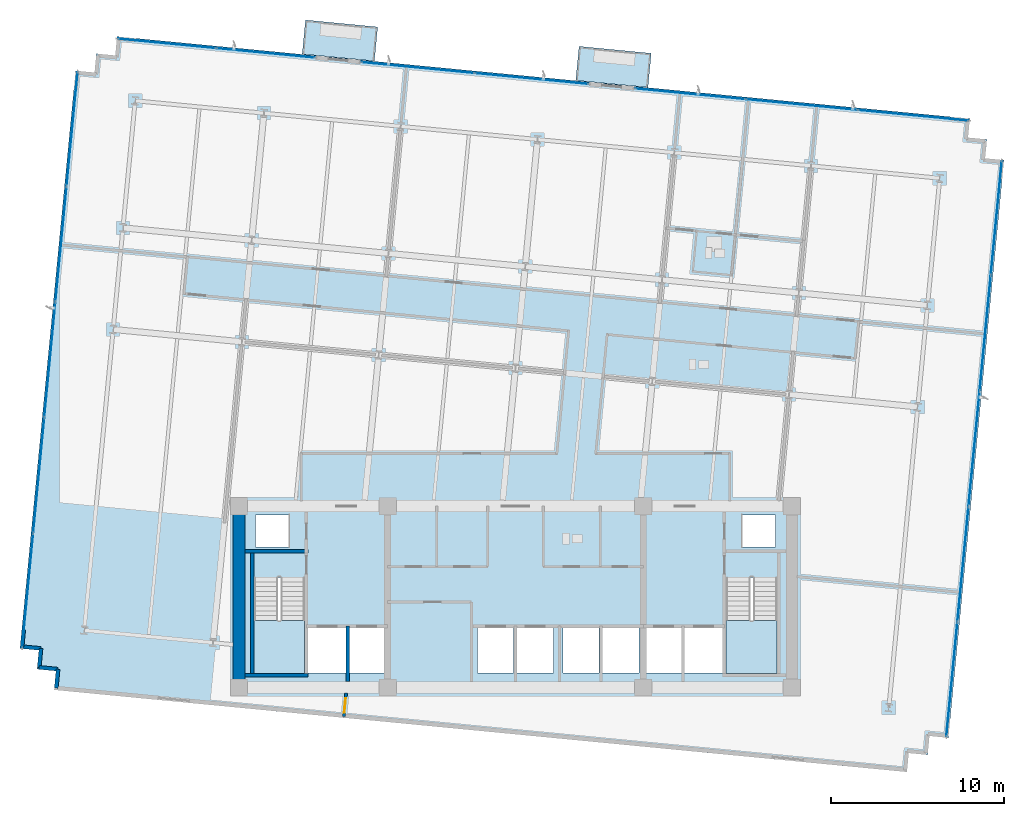
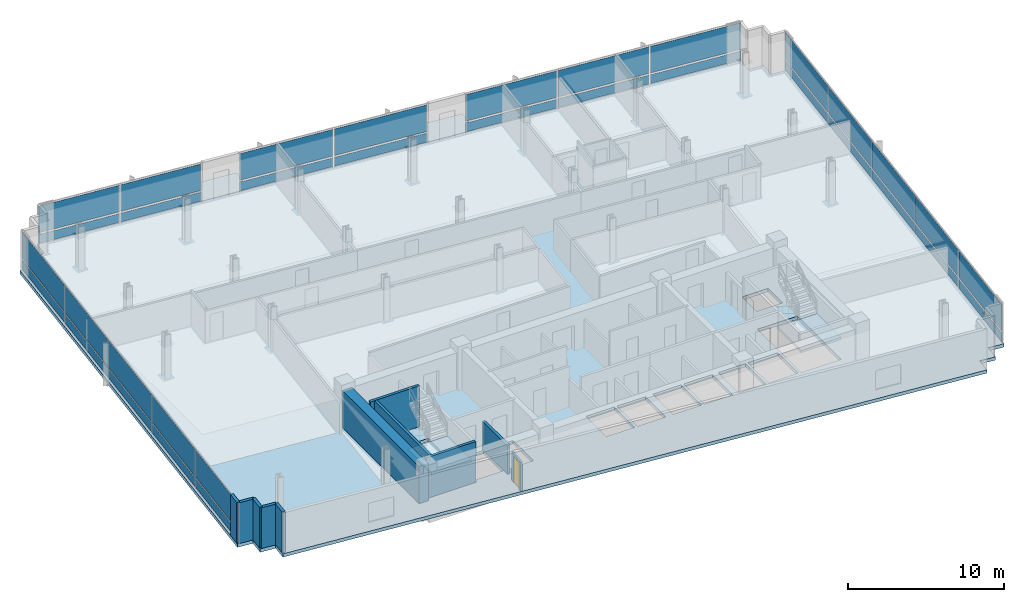
# One storey, part 9 of 17: 34 plates, 11 walls, 5 slabs, 1 door, 1 opening, 7 elements without a shape of their own.
"""IFC4 building model written with IfcOpenShell, lengths in metres."""

from ifc_helpers import new_model, si_unit, direction, frame, frame_2d, origin, origin_2d, place, context, subcontext, project, spatial, polyline, rectangle, outline, extrude, material, layer, layer_set, type_object, element, fill, aggregate, save


model = new_model("IFC4")

# Units and contexts
model_context = context("Model", 3, precision=1e-05, world=origin(), true_north=direction((0.0, 1.0)))
body_context = subcontext(model_context, "Body", "Model", "MODEL_VIEW")
ifc_project = project(units=[si_unit("LENGTHUNIT", "METRE"), si_unit("AREAUNIT", "SQUARE_METRE"), si_unit("VOLUMEUNIT", "CUBIC_METRE"), si_unit("PLANEANGLEUNIT", "RADIAN"), si_unit("MASSUNIT", "GRAM", prefix="KILO")], contexts=[model_context])

# Site, building, storey
site_placement = place(None, origin())
site = spatial("IfcSite", under=ifc_project, at=site_placement, CompositionType="ELEMENT")
building_placement = place(site_placement, origin())
building = spatial("IfcBuilding", under=site, at=building_placement, Name="Solmavex Isthmus Hotel", CompositionType="ELEMENT")
storey_placement = place(building_placement, frame((0.0, 0.0, 163.5)))
storey = spatial("IfcBuildingStorey", under=building, at=storey_placement, Name="L44", CompositionType="ELEMENT", Elevation=163.5)

# Curtain wall, plates
ifc_material_1 = material(Name="Aluminium alloy 6063-T6", Category="aluminium")
curtain_wall_type = type_object("IfcCurtainWallType", Name="CW-SYS-03", PredefinedType="NOTDEFINED", material=ifc_material_1)
curtain_wall_1_placement = place(storey_placement, origin())
curtain_wall_1 = element("IfcCurtainWall", 1, at=curtain_wall_1_placement, inside=storey, type_object=curtain_wall_type, Name="Stick Curtain Wall CWL-L44-N1", PredefinedType="NOTDEFINED")
ifc_material_2 = material(Name="Clear low-E laminated glass", Category="glass")
ifc_layer_1 = layer(ifc_material_2, 0.030029296875)
ifc_layer_set_1 = layer_set([ifc_layer_1], Name="Clear low-E laminated glass")
plate_type = type_object("IfcPlateType", Name="CW-SYS-03-PNL", PredefinedType="CURTAIN_PANEL", material=ifc_layer_set_1)
plate_1_placement = place(storey_placement, frame((-20.1806640625, 24.291259765625, 0.14013671875), z_axis=(0.0, 0.0, 1.0), x_axis=(0.995396220659, -0.095845521008, 0.0)))
plate_1 = element("IfcPlate", 2, at=plate_1_placement, type_object=plate_type, Name="CW-03 panel 1.1", PredefinedType="CURTAIN_PANEL", context=body_context, shape_type="SweptSolid", body=[
    extrude(rectangle(XDim=5.677978515625, YDim=0.030029296875, at=origin_2d()), origin(), (0.0, 0.0, 1.0), 0.68994140625),
])
plate_2_placement = place(storey_placement, frame((-20.1806640625, 24.291259765625, 0.969970703125), z_axis=(0.0, 0.0, 1.0), x_axis=(0.995396220659, -0.095845521008, 0.0)))
plate_2 = element("IfcPlate", 3, at=plate_2_placement, type_object=plate_type, Name="CW-03 panel 1.2", PredefinedType="CURTAIN_PANEL", context=body_context, shape_type="SweptSolid", body=[
    extrude(rectangle(XDim=5.677978515625, YDim=0.030029296875, at=origin_2d()), origin(), (0.0, 0.0, 1.0), 2.080078125),
])
plate_3_placement = place(storey_placement, frame((-14.459228515625, 23.740234375, 0.14013671875), z_axis=(0.0, 0.0, 1.0), x_axis=(0.995396220659, -0.095845521008, 0.0)))
plate_3 = element("IfcPlate", 4, at=plate_3_placement, type_object=plate_type, Name="CW-03 panel 2.1", PredefinedType="CURTAIN_PANEL", context=body_context, shape_type="SweptSolid", body=[
    extrude(rectangle(XDim=5.677978515625, YDim=0.030029296875, at=origin_2d()), origin(), (0.0, 0.0, 1.0), 0.68994140625),
])
plate_4_placement = place(storey_placement, frame((-14.459228515625, 23.740234375, 0.969970703125), z_axis=(0.0, 0.0, 1.0), x_axis=(0.995396220659, -0.095845521008, 0.0)))
plate_4 = element("IfcPlate", 5, at=plate_4_placement, type_object=plate_type, Name="CW-03 panel 2.2", PredefinedType="CURTAIN_PANEL", context=body_context, shape_type="SweptSolid", body=[
    extrude(rectangle(XDim=5.677978515625, YDim=0.030029296875, at=origin_2d()), origin(), (0.0, 0.0, 1.0), 2.080078125),
])
aggregate(curtain_wall_1, [plate_1, plate_2, plate_3, plate_4])

curtain_wall_2_placement = place(storey_placement, origin())
curtain_wall_2 = element("IfcCurtainWall", 6, at=curtain_wall_2_placement, inside=storey, type_object=curtain_wall_type, Name="Stick Curtain Wall CWL-L44-N2", PredefinedType="NOTDEFINED")
plate_5_placement = place(storey_placement, frame((-5.645263671875, 22.8916015625, 0.14013671875), z_axis=(0.0, 0.0, 1.0), x_axis=(0.995396257521, -0.095845138178, 0.0)))
plate_5 = element("IfcPlate", 7, at=plate_5_placement, type_object=plate_type, Name="CW-03 panel 1.1", PredefinedType="CURTAIN_PANEL", context=body_context, shape_type="SweptSolid", body=[
    extrude(rectangle(XDim=6.551025390625, YDim=0.030029296875, at=origin_2d()), origin(), (0.0, 0.0, 1.0), 0.68994140625),
])
plate_6_placement = place(storey_placement, frame((-5.645263671875, 22.8916015625, 0.969970703125), z_axis=(0.0, 0.0, 1.0), x_axis=(0.995396257521, -0.095845138178, 0.0)))
plate_6 = element("IfcPlate", 8, at=plate_6_placement, type_object=plate_type, Name="CW-03 panel 1.2", PredefinedType="CURTAIN_PANEL", context=body_context, shape_type="SweptSolid", body=[
    extrude(rectangle(XDim=6.551025390625, YDim=0.030029296875, at=origin_2d()), origin(), (0.0, 0.0, 1.0), 2.080078125),
])
plate_7_placement = place(storey_placement, frame((0.945068359375, 22.257080078125, 0.14013671875), z_axis=(0.0, 0.0, 1.0), x_axis=(0.995396257521, -0.095845138178, 0.0)))
plate_7 = element("IfcPlate", 9, at=plate_7_placement, type_object=plate_type, Name="CW-03 panel 2.1", PredefinedType="CURTAIN_PANEL", context=body_context, shape_type="SweptSolid", body=[
    extrude(rectangle(XDim=6.551025390625, YDim=0.030029296875, at=origin_2d()), origin(), (0.0, 0.0, 1.0), 0.68994140625),
])
plate_8_placement = place(storey_placement, frame((0.945068359375, 22.257080078125, 0.969970703125), z_axis=(0.0, 0.0, 1.0), x_axis=(0.995396257521, -0.095845138178, 0.0)))
plate_8 = element("IfcPlate", 10, at=plate_8_placement, type_object=plate_type, Name="CW-03 panel 2.2", PredefinedType="CURTAIN_PANEL", context=body_context, shape_type="SweptSolid", body=[
    extrude(rectangle(XDim=6.551025390625, YDim=0.030029296875, at=origin_2d()), origin(), (0.0, 0.0, 1.0), 2.080078125),
])
aggregate(curtain_wall_2, [plate_5, plate_6, plate_7, plate_8])

curtain_wall_3_placement = place(storey_placement, origin())
curtain_wall_3 = element("IfcCurtainWall", 11, at=curtain_wall_3_placement, inside=storey, type_object=curtain_wall_type, Name="Stick Curtain Wall CWL-L44-N3", PredefinedType="NOTDEFINED")
plate_9_placement = place(storey_placement, frame((10.119384765625, 21.373779296875, 0.14013671875), z_axis=(0.0, 0.0, 1.0), x_axis=(0.995396200025, -0.095845735304, 0.0)))
plate_9 = element("IfcPlate", 12, at=plate_9_placement, type_object=plate_type, Name="CW-03 panel 1.1", PredefinedType="CURTAIN_PANEL", context=body_context, shape_type="SweptSolid", body=[
    extrude(rectangle(XDim=6.40234375, YDim=0.030029296875, at=origin_2d()), origin(), (0.0, 0.0, 1.0), 0.68994140625),
])
plate_10_placement = place(storey_placement, frame((10.119384765625, 21.373779296875, 0.969970703125), z_axis=(0.0, 0.0, 1.0), x_axis=(0.995396200025, -0.095845735304, 0.0)))
plate_10 = element("IfcPlate", 13, at=plate_10_placement, type_object=plate_type, Name="CW-03 panel 1.2", PredefinedType="CURTAIN_PANEL", context=body_context, shape_type="SweptSolid", body=[
    extrude(rectangle(XDim=6.40234375, YDim=0.030029296875, at=origin_2d()), origin(), (0.0, 0.0, 1.0), 2.080078125),
])
plate_11_placement = place(storey_placement, frame((16.579345703125, 20.751708984375, 0.14013671875), z_axis=(0.0, 0.0, 1.0), x_axis=(0.995396200025, -0.095845735304, 0.0)))
plate_11 = element("IfcPlate", 14, at=plate_11_placement, type_object=plate_type, Name="CW-03 panel 2.1", PredefinedType="CURTAIN_PANEL", context=body_context, shape_type="SweptSolid", body=[
    extrude(rectangle(XDim=6.437255859375, YDim=0.030029296875, at=origin_2d()), origin(), (0.0, 0.0, 1.0), 0.68994140625),
])
plate_12_placement = place(storey_placement, frame((16.579345703125, 20.751708984375, 0.969970703125), z_axis=(0.0, 0.0, 1.0), x_axis=(0.995396200025, -0.095845735304, 0.0)))
plate_12 = element("IfcPlate", 15, at=plate_12_placement, type_object=plate_type, Name="CW-03 panel 2.2", PredefinedType="CURTAIN_PANEL", context=body_context, shape_type="SweptSolid", body=[
    extrude(rectangle(XDim=6.437255859375, YDim=0.030029296875, at=origin_2d()), origin(), (0.0, 0.0, 1.0), 2.080078125),
])
plate_13_placement = place(storey_placement, frame((23.039306640625, 20.129638671875, 0.14013671875), z_axis=(0.0, 0.0, 1.0), x_axis=(0.995396200025, -0.095845735304, 0.0)))
plate_13 = element("IfcPlate", 16, at=plate_13_placement, type_object=plate_type, Name="CW-03 panel 3.1", PredefinedType="CURTAIN_PANEL", context=body_context, shape_type="SweptSolid", body=[
    extrude(rectangle(XDim=6.40234375, YDim=0.030029296875, at=origin_2d()), origin(), (0.0, 0.0, 1.0), 0.68994140625),
])
plate_14_placement = place(storey_placement, frame((23.039306640625, 20.129638671875, 0.969970703125), z_axis=(0.0, 0.0, 1.0), x_axis=(0.995396200025, -0.095845735304, 0.0)))
plate_14 = element("IfcPlate", 17, at=plate_14_placement, type_object=plate_type, Name="CW-03 panel 3.2", PredefinedType="CURTAIN_PANEL", context=body_context, shape_type="SweptSolid", body=[
    extrude(rectangle(XDim=6.40234375, YDim=0.030029296875, at=origin_2d()), origin(), (0.0, 0.0, 1.0), 2.080078125),
])
aggregate(curtain_wall_3, [plate_9, plate_10, plate_11, plate_12, plate_13, plate_14])

curtain_wall_4_placement = place(storey_placement, origin())
curtain_wall_4 = element("IfcCurtainWall", 18, at=curtain_wall_4_placement, inside=storey, type_object=curtain_wall_type, Name="Stick Curtain Wall CWL-L44-W1", PredefinedType="NOTDEFINED")
plate_15_placement = place(storey_placement, frame((-28.24267578125, -7.38427734375, 0.14013671875), z_axis=(0.0, 0.0, 1.0), x_axis=(0.09584583902, 0.995396190038, 0.0)))
plate_15 = element("IfcPlate", 19, at=plate_15_placement, type_object=plate_type, Name="CW-03 panel 1.1", PredefinedType="CURTAIN_PANEL", context=body_context, shape_type="SweptSolid", body=[
    extrude(rectangle(XDim=6.614990234375, YDim=0.030029296875, at=origin_2d()), origin(), (0.0, 0.0, 1.0), 0.68994140625),
])
plate_16_placement = place(storey_placement, frame((-28.24267578125, -7.38427734375, 0.969970703125), z_axis=(0.0, 0.0, 1.0), x_axis=(0.09584583902, 0.995396190038, 0.0)))
plate_16 = element("IfcPlate", 20, at=plate_16_placement, type_object=plate_type, Name="CW-03 panel 1.2", PredefinedType="CURTAIN_PANEL", context=body_context, shape_type="SweptSolid", body=[
    extrude(rectangle(XDim=6.614990234375, YDim=0.030029296875, at=origin_2d()), origin(), (0.0, 0.0, 1.0), 2.080078125),
])
plate_17_placement = place(storey_placement, frame((-27.600341796875, -0.712646484375, 0.14013671875), z_axis=(0.0, 0.0, 1.0), x_axis=(0.09584583902, 0.995396190038, 0.0)))
plate_17 = element("IfcPlate", 21, at=plate_17_placement, type_object=plate_type, Name="CW-03 panel 2.1", PredefinedType="CURTAIN_PANEL", context=body_context, shape_type="SweptSolid", body=[
    extrude(rectangle(XDim=6.64990234375, YDim=0.030029296875, at=origin_2d()), origin(), (0.0, 0.0, 1.0), 0.68994140625),
])
plate_18_placement = place(storey_placement, frame((-27.600341796875, -0.712646484375, 0.969970703125), z_axis=(0.0, 0.0, 1.0), x_axis=(0.09584583902, 0.995396190038, 0.0)))
plate_18 = element("IfcPlate", 22, at=plate_18_placement, type_object=plate_type, Name="CW-03 panel 2.2", PredefinedType="CURTAIN_PANEL", context=body_context, shape_type="SweptSolid", body=[
    extrude(rectangle(XDim=6.64990234375, YDim=0.030029296875, at=origin_2d()), origin(), (0.0, 0.0, 1.0), 2.080078125),
])
plate_19_placement = place(storey_placement, frame((-26.956298828125, 5.976318359375, 0.14013671875), z_axis=(0.0, 0.0, 1.0), x_axis=(0.09584583902, 0.995396190038, 0.0)))
plate_19 = element("IfcPlate", 23, at=plate_19_placement, type_object=plate_type, Name="CW-03 panel 3.1", PredefinedType="CURTAIN_PANEL", context=body_context, shape_type="SweptSolid", body=[
    extrude(rectangle(XDim=6.64990234375, YDim=0.030029296875, at=origin_2d()), origin(), (0.0, 0.0, 1.0), 0.68994140625),
])
plate_20_placement = place(storey_placement, frame((-26.956298828125, 5.976318359375, 0.969970703125), z_axis=(0.0, 0.0, 1.0), x_axis=(0.09584583902, 0.995396190038, 0.0)))
plate_20 = element("IfcPlate", 24, at=plate_20_placement, type_object=plate_type, Name="CW-03 panel 3.2", PredefinedType="CURTAIN_PANEL", context=body_context, shape_type="SweptSolid", body=[
    extrude(rectangle(XDim=6.64990234375, YDim=0.030029296875, at=origin_2d()), origin(), (0.0, 0.0, 1.0), 2.080078125),
])
plate_21_placement = place(storey_placement, frame((-26.312255859375, 12.665283203125, 0.14013671875), z_axis=(0.0, 0.0, 1.0), x_axis=(0.09584583902, 0.995396190038, 0.0)))
plate_21 = element("IfcPlate", 25, at=plate_21_placement, type_object=plate_type, Name="CW-03 panel 4.1", PredefinedType="CURTAIN_PANEL", context=body_context, shape_type="SweptSolid", body=[
    extrude(rectangle(XDim=6.64990234375, YDim=0.030029296875, at=origin_2d()), origin(), (0.0, 0.0, 1.0), 0.68994140625),
])
plate_22_placement = place(storey_placement, frame((-26.312255859375, 12.665283203125, 0.969970703125), z_axis=(0.0, 0.0, 1.0), x_axis=(0.09584583902, 0.995396190038, 0.0)))
plate_22 = element("IfcPlate", 26, at=plate_22_placement, type_object=plate_type, Name="CW-03 panel 4.2", PredefinedType="CURTAIN_PANEL", context=body_context, shape_type="SweptSolid", body=[
    extrude(rectangle(XDim=6.64990234375, YDim=0.030029296875, at=origin_2d()), origin(), (0.0, 0.0, 1.0), 2.080078125),
])
plate_23_placement = place(storey_placement, frame((-25.669677734375, 19.337158203125, 0.14013671875), z_axis=(0.0, 0.0, 1.0), x_axis=(0.09584583902, 0.995396190038, 0.0)))
plate_23 = element("IfcPlate", 27, at=plate_23_placement, type_object=plate_type, Name="CW-03 panel 5.1", PredefinedType="CURTAIN_PANEL", context=body_context, shape_type="SweptSolid", body=[
    extrude(rectangle(XDim=6.614990234375, YDim=0.030029296875, at=origin_2d()), origin(), (0.0, 0.0, 1.0), 0.68994140625),
])
plate_24_placement = place(storey_placement, frame((-25.669677734375, 19.337158203125, 0.969970703125), z_axis=(0.0, 0.0, 1.0), x_axis=(0.09584583902, 0.995396190038, 0.0)))
plate_24 = element("IfcPlate", 28, at=plate_24_placement, type_object=plate_type, Name="CW-03 panel 5.2", PredefinedType="CURTAIN_PANEL", context=body_context, shape_type="SweptSolid", body=[
    extrude(rectangle(XDim=6.614990234375, YDim=0.030029296875, at=origin_2d()), origin(), (0.0, 0.0, 1.0), 2.080078125),
])
aggregate(curtain_wall_4, [plate_15, plate_16, plate_17, plate_18, plate_19, plate_20, plate_21, plate_22, plate_23, plate_24])

curtain_wall_5_placement = place(storey_placement, origin())
curtain_wall_5 = element("IfcCurtainWall", 29, at=curtain_wall_5_placement, inside=storey, type_object=curtain_wall_type, Name="Stick Curtain Wall CWL-L44-E1", PredefinedType="NOTDEFINED")
plate_25_placement = place(storey_placement, frame((25.269775390625, -12.537109375, 0.14013671875), z_axis=(0.0, 0.0, 1.0), x_axis=(0.09584583902, 0.995396190038, 0.0)))
plate_25 = element("IfcPlate", 30, at=plate_25_placement, type_object=plate_type, Name="CW-03 panel 1.1", PredefinedType="CURTAIN_PANEL", context=body_context, shape_type="SweptSolid", body=[
    extrude(rectangle(XDim=6.614990234375, YDim=0.030029296875, at=origin_2d()), origin(), (0.0, 0.0, 1.0), 0.68994140625),
])
plate_26_placement = place(storey_placement, frame((25.269775390625, -12.537109375, 0.969970703125), z_axis=(0.0, 0.0, 1.0), x_axis=(0.09584583902, 0.995396190038, 0.0)))
plate_26 = element("IfcPlate", 31, at=plate_26_placement, type_object=plate_type, Name="CW-03 panel 1.2", PredefinedType="CURTAIN_PANEL", context=body_context, shape_type="SweptSolid", body=[
    extrude(rectangle(XDim=6.614990234375, YDim=0.030029296875, at=origin_2d()), origin(), (0.0, 0.0, 1.0), 2.080078125),
])
plate_27_placement = place(storey_placement, frame((25.912109375, -5.865478515625, 0.14013671875), z_axis=(0.0, 0.0, 1.0), x_axis=(0.09584583902, 0.995396190038, 0.0)))
plate_27 = element("IfcPlate", 32, at=plate_27_placement, type_object=plate_type, Name="CW-03 panel 2.1", PredefinedType="CURTAIN_PANEL", context=body_context, shape_type="SweptSolid", body=[
    extrude(rectangle(XDim=6.64990234375, YDim=0.030029296875, at=origin_2d()), origin(), (0.0, 0.0, 1.0), 0.68994140625),
])
plate_28_placement = place(storey_placement, frame((25.912109375, -5.865478515625, 0.969970703125), z_axis=(0.0, 0.0, 1.0), x_axis=(0.09584583902, 0.995396190038, 0.0)))
plate_28 = element("IfcPlate", 33, at=plate_28_placement, type_object=plate_type, Name="CW-03 panel 2.2", PredefinedType="CURTAIN_PANEL", context=body_context, shape_type="SweptSolid", body=[
    extrude(rectangle(XDim=6.64990234375, YDim=0.030029296875, at=origin_2d()), origin(), (0.0, 0.0, 1.0), 2.080078125),
])
plate_29_placement = place(storey_placement, frame((26.55615234375, 0.82373046875, 0.14013671875), z_axis=(0.0, 0.0, 1.0), x_axis=(0.09584583902, 0.995396190038, 0.0)))
plate_29 = element("IfcPlate", 34, at=plate_29_placement, type_object=plate_type, Name="CW-03 panel 3.1", PredefinedType="CURTAIN_PANEL", context=body_context, shape_type="SweptSolid", body=[
    extrude(rectangle(XDim=6.64990234375, YDim=0.030029296875, at=origin_2d()), origin(), (0.0, 0.0, 1.0), 0.68994140625),
])
plate_30_placement = place(storey_placement, frame((26.55615234375, 0.82373046875, 0.969970703125), z_axis=(0.0, 0.0, 1.0), x_axis=(0.09584583902, 0.995396190038, 0.0)))
plate_30 = element("IfcPlate", 35, at=plate_30_placement, type_object=plate_type, Name="CW-03 panel 3.2", PredefinedType="CURTAIN_PANEL", context=body_context, shape_type="SweptSolid", body=[
    extrude(rectangle(XDim=6.64990234375, YDim=0.030029296875, at=origin_2d()), origin(), (0.0, 0.0, 1.0), 2.080078125),
])
plate_31_placement = place(storey_placement, frame((27.200439453125, 7.5126953125, 0.14013671875), z_axis=(0.0, 0.0, 1.0), x_axis=(0.09584583902, 0.995396190038, 0.0)))
plate_31 = element("IfcPlate", 36, at=plate_31_placement, type_object=plate_type, Name="CW-03 panel 4.1", PredefinedType="CURTAIN_PANEL", context=body_context, shape_type="SweptSolid", body=[
    extrude(rectangle(XDim=6.64990234375, YDim=0.030029296875, at=origin_2d()), origin(), (0.0, 0.0, 1.0), 0.68994140625),
])
plate_32_placement = place(storey_placement, frame((27.200439453125, 7.5126953125, 0.969970703125), z_axis=(0.0, 0.0, 1.0), x_axis=(0.09584583902, 0.995396190038, 0.0)))
plate_32 = element("IfcPlate", 37, at=plate_32_placement, type_object=plate_type, Name="CW-03 panel 4.2", PredefinedType="CURTAIN_PANEL", context=body_context, shape_type="SweptSolid", body=[
    extrude(rectangle(XDim=6.64990234375, YDim=0.030029296875, at=origin_2d()), origin(), (0.0, 0.0, 1.0), 2.080078125),
])
plate_33_placement = place(storey_placement, frame((27.8427734375, 14.184326171875, 0.14013671875), z_axis=(0.0, 0.0, 1.0), x_axis=(0.09584583902, 0.995396190038, 0.0)))
plate_33 = element("IfcPlate", 38, at=plate_33_placement, type_object=plate_type, Name="CW-03 panel 5.1", PredefinedType="CURTAIN_PANEL", context=body_context, shape_type="SweptSolid", body=[
    extrude(rectangle(XDim=6.614990234375, YDim=0.030029296875, at=origin_2d()), origin(), (0.0, 0.0, 1.0), 0.68994140625),
])
plate_34_placement = place(storey_placement, frame((27.8427734375, 14.184326171875, 0.969970703125), z_axis=(0.0, 0.0, 1.0), x_axis=(0.09584583902, 0.995396190038, 0.0)))
plate_34 = element("IfcPlate", 39, at=plate_34_placement, type_object=plate_type, Name="CW-03 panel 5.2", PredefinedType="CURTAIN_PANEL", context=body_context, shape_type="SweptSolid", body=[
    extrude(rectangle(XDim=6.614990234375, YDim=0.030029296875, at=origin_2d()), origin(), (0.0, 0.0, 1.0), 2.080078125),
])
aggregate(curtain_wall_5, [plate_25, plate_26, plate_27, plate_28, plate_29, plate_30, plate_31, plate_32, plate_33, plate_34])

# Slabs
ifc_material_3 = material(Name="Concrete C40/50", Category="concrete")
ifc_layer_2 = layer(ifc_material_3, 0.239990234375)
ifc_layer_set_2 = layer_set([ifc_layer_2], Name="Concrete C40/50")
slab_type_1 = type_object("IfcSlabType", Name="SLAB-BALC-240", PredefinedType="FLOOR", material=ifc_layer_set_2)
slab_1_placement = place(storey_placement, frame((0.0, 0.0, -0.239990234375)))
element("IfcSlab", 40, at=slab_1_placement, inside=storey, type_object=slab_type_1, Name="Tree-Planter Balcony Slab L44-B1", PredefinedType="FLOOR", context=body_context, shape_type="SweptSolid", body=[
    extrude(outline(polyline([(-12.346923828125, 23.672607421875), (-8.166259765625, 23.27001953125), (-7.97607421875, 25.245849609375), (-12.15673828125, 25.6484375), (-12.346923828125, 23.672607421875)])), origin(), (0.0, 0.0, 1.0), 0.239990234375),
])
slab_2_placement = place(storey_placement, frame((0.0, 0.0, -0.239990234375)))
element("IfcSlab", 41, at=slab_2_placement, inside=storey, type_object=slab_type_1, Name="Tree-Planter Balcony Slab L44-B2", PredefinedType="FLOOR", context=body_context, shape_type="SweptSolid", body=[
    extrude(outline(polyline([(3.491943359375, 22.1474609375), (7.672607421875, 21.744873046875), (7.86279296875, 23.720703125), (3.68212890625, 24.123291015625), (3.491943359375, 22.1474609375)])), origin(), (0.0, 0.0, 1.0), 0.239990234375),
])
ifc_layer_3 = layer(ifc_material_3, 0.260009765625)
ifc_layer_set_3 = layer_set([ifc_layer_3], Name="Concrete C40/50")
slab_type_2 = type_object("IfcSlabType", Name="SLAB-TYP-260", PredefinedType="FLOOR", material=ifc_layer_set_3)
slab_3_placement = place(storey_placement, frame((0.0, 0.0, -0.260009765625)))
element("IfcSlab", 42, at=slab_3_placement, inside=storey, type_object=slab_type_2, Name="Tower Structural Floor Slab L44", PredefinedType="FLOOR", context=body_context, shape_type="SweptSolid", body=[
    extrude(outline(polyline([(-25.612060546875, -13.240966796875), (21.56982421875, -17.7841796875), (22.664794921875, -17.889404296875), (22.770263671875, -16.794677734375), (23.865234375, -16.89990234375), (23.970458984375, -15.80517578125), (25.0654296875, -15.910400390625), (25.1708984375, -14.815673828125), (28.180419921875, 16.43994140625), (28.285888671875, 17.534912109375), (27.19091796875, 17.64013671875), (27.29638671875, 18.735107421875), (26.201416015625, 18.840576171875), (26.306884765625, 19.935546875), (25.2119140625, 20.041015625), (-21.9697265625, 24.583984375), (-23.064697265625, 24.689453125), (-23.170166015625, 23.594482421875), (-24.26513671875, 23.699951171875), (-24.37060546875, 22.60498046875), (-25.465576171875, 22.71044921875), (-25.57080078125, 21.615478515625), (-28.58056640625, -9.639892578125), (-28.685791015625, -10.73486328125), (-27.591064453125, -10.84033203125), (-27.6962890625, -11.935302734375), (-26.6015625, -12.04052734375), (-26.706787109375, -13.135498046875), (-25.612060546875, -13.240966796875)]), holes=[polyline([(-15.14990234375, -6.617919921875), (-15.14990234375, -12.199951171875), (-12.199951171875, -12.199951171875), (-12.199951171875, -6.617919921875), (-15.14990234375, -6.617919921875)]), polyline([(12.199951171875, -6.617919921875), (12.199951171875, -12.199951171875), (15.14990234375, -12.199951171875), (15.14990234375, -6.617919921875), (12.199951171875, -6.617919921875)]), polyline([(-12.0, -12.14990234375), (-9.800048828125, -12.14990234375), (-9.800048828125, -9.550048828125), (-12.0, -9.550048828125), (-12.0, -12.14990234375)]), polyline([(9.800048828125, -12.14990234375), (12.0, -12.14990234375), (12.0, -9.550048828125), (9.800048828125, -9.550048828125), (9.800048828125, -12.14990234375)]), polyline([(-9.60009765625, -12.14990234375), (-7.60009765625, -12.14990234375), (-7.60009765625, -9.550048828125), (-9.60009765625, -9.550048828125), (-9.60009765625, -12.14990234375)]), polyline([(7.60009765625, -12.14990234375), (9.60009765625, -12.14990234375), (9.60009765625, -9.550048828125), (7.60009765625, -9.550048828125), (7.60009765625, -12.14990234375)]), polyline([(-2.199951171875, -12.14990234375), (-0.10009765625, -12.14990234375), (-0.10009765625, -9.550048828125), (-2.199951171875, -9.550048828125), (-2.199951171875, -12.14990234375)]), polyline([(0.10009765625, -12.14990234375), (2.199951171875, -12.14990234375), (2.199951171875, -9.550048828125), (0.10009765625, -9.550048828125), (0.10009765625, -12.14990234375)]), polyline([(2.75, -12.14990234375), (4.85009765625, -12.14990234375), (4.85009765625, -9.550048828125), (2.75, -9.550048828125), (2.75, -12.14990234375)]), polyline([(5.050048828125, -12.14990234375), (7.14990234375, -12.14990234375), (7.14990234375, -9.550048828125), (5.050048828125, -9.550048828125), (5.050048828125, -12.14990234375)]), polyline([(-15.050048828125, -4.85009765625), (-13.14990234375, -4.85009765625), (-13.14990234375, -3.0), (-15.050048828125, -3.0), (-15.050048828125, -4.85009765625)]), polyline([(13.14990234375, -4.85009765625), (15.050048828125, -4.85009765625), (15.050048828125, -3.0), (13.14990234375, -3.0), (13.14990234375, -4.85009765625)])]), origin(), (0.0, 0.0, 1.0), 0.260009765625),
])

# Stair, slab
stair_type_1 = type_object("IfcStairType", Name="STR-ST-1", PredefinedType="HALF_TURN_STAIR", material=ifc_material_3)
stair_1_placement = place(storey_placement, origin())
stair_1 = element("IfcStair", 43, at=stair_1_placement, inside=storey, type_object=stair_type_1, Name="L44 Protected Exit Stair ST-1", PredefinedType="HALF_TURN_STAIR")
ifc_layer_4 = layer(ifc_material_3, 0.219970703125)
ifc_layer_set_4 = layer_set([ifc_layer_4], Name="Concrete C40/50")
slab_type_3 = type_object("IfcSlabType", Name="SLD-ST-1", PredefinedType="LANDING", material=ifc_layer_set_4)
slab_4_placement = place(storey_placement, frame((0.0, 0.0, 1.52490234375)))
slab_4 = element("IfcSlab", 44, at=slab_4_placement, type_object=slab_type_3, Name="ST-1 landing 1", PredefinedType="LANDING", context=body_context, shape_type="SweptSolid", body=[
    extrude(outline(polyline([(-15.14990234375, -9.1201171875), (-15.14990234375, -12.199951171875), (-12.199951171875, -12.199951171875), (-12.199951171875, -9.1201171875), (-15.14990234375, -9.1201171875)])), origin(), (0.0, 0.0, 1.0), 0.2001953125),
])
aggregate(stair_1, [slab_4])

stair_type_2 = type_object("IfcStairType", Name="STR-ST-2", PredefinedType="HALF_TURN_STAIR", material=ifc_material_3)
stair_2_placement = place(storey_placement, origin())
stair_2 = element("IfcStair", 45, at=stair_2_placement, inside=storey, type_object=stair_type_2, Name="L44 Protected Exit Stair ST-2", PredefinedType="HALF_TURN_STAIR")
ifc_layer_5 = layer(ifc_material_3, 0.219970703125)
ifc_layer_set_5 = layer_set([ifc_layer_5], Name="Concrete C40/50")
slab_type_4 = type_object("IfcSlabType", Name="SLD-ST-2", PredefinedType="LANDING", material=ifc_layer_set_5)
slab_5_placement = place(storey_placement, frame((0.0, 0.0, 1.52490234375)))
slab_5 = element("IfcSlab", 46, at=slab_5_placement, type_object=slab_type_4, Name="ST-2 landing 1", PredefinedType="LANDING", context=body_context, shape_type="SweptSolid", body=[
    extrude(outline(polyline([(12.199951171875, -9.1201171875), (12.199951171875, -12.199951171875), (15.14990234375, -12.199951171875), (15.14990234375, -9.1201171875), (12.199951171875, -9.1201171875)])), origin(), (0.0, 0.0, 1.0), 0.2001953125),
])
aggregate(stair_2, [slab_5])

# Walls
ifc_material_4 = material(Name="Precast Concrete C40/50", Category="concrete")
ifc_layer_6 = layer(ifc_material_4, 0.25)
ifc_layer_set_6 = layer_set([ifc_layer_6], Name="Precast Concrete C40/50")
wall_type_1 = type_object("IfcWallType", Name="EW-TWR-250", PredefinedType="STANDARD", material=ifc_layer_set_6)
for number, where, z_axis, x_axis, name in (
    (47, (-26.5869140625, -13.03662109375, 0.0), (0.0, 0.0, 1.0), (0.095877334176, 0.995393156894, 0.0), "Serrated Corner Facade Panel L44-01"),
    (48, (-26.4814453125, -11.941650390625, 0.0), (0.0, 0.0, 1.0), (-0.995393156894, 0.095877334176, 0.0), "Serrated Corner Facade Panel L44-02"),
    (49, (-27.576416015625, -11.836181640625, 0.0), (0.0, 0.0, 1.0), (0.095877334176, 0.995393156894, 0.0), "Serrated Corner Facade Panel L44-03"),
    (50, (-27.470947265625, -10.7412109375, 0.0), (0.0, 0.0, 1.0), (-0.995414313875, 0.095657429048, 0.0), "Serrated Corner Facade Panel L44-04"),
):
    element("IfcWall", number, at=place(storey_placement, frame(where, z_axis=z_axis, x_axis=x_axis)), inside=storey, type_object=wall_type_1, Name=name, PredefinedType="STANDARD", context=body_context, shape_type="SweptSolid", body=[
        extrude(rectangle(XDim=1.10009765625, YDim=0.219970703125, at=frame_2d((0.550048828125, 0.0))), origin(), (0.0, 0.0, 1.0), 3.18994140625),
    ])
wall_1_placement = place(storey_placement, frame((-28.56591796875, -10.635986328125, 0.0), z_axis=(0.0, 0.0, 1.0), x_axis=(0.095914428506, 0.995389583231, 0.0)))
element("IfcWall", 51, at=wall_1_placement, inside=storey, type_object=wall_type_1, Name="Serrated Corner Facade Panel L44-05", PredefinedType="STANDARD", context=body_context, shape_type="SweptSolid", body=[
    extrude(rectangle(XDim=0.990234375, YDim=0.219970703125, at=frame_2d((0.4951171875, 0.0))), origin(), (0.0, 0.0, 1.0), 3.18994140625),
])

# Wall, opening, door
ifc_material_5 = material(Name="Gypsum plasterboard lining", Category="gypsum")
ifc_layer_7 = layer(ifc_material_5, 0.159912109375)
ifc_layer_set_7 = layer_set([ifc_layer_7], Name="Gypsum plasterboard lining")
wall_type_2 = type_object("IfcWallType", Name="IW-COMP-160", PredefinedType="PARTITIONING", material=ifc_layer_set_7)
wall_2_placement = place(storey_placement, frame((-9.8017578125, -13.31005859375, 0.0), z_axis=(0.0, 0.0, 1.0), x_axis=(-0.095930256126, -0.995388057975, 0.0)))
wall_2 = element("IfcWall", 52, at=wall_2_placement, inside=storey, type_object=wall_type_2, Name="Interior Partition Wall W-L44-P048", PredefinedType="PARTITIONING", context=body_context, shape_type="SweptSolid", body=[
    extrude(rectangle(XDim=1.36669921875, YDim=0.159912109375, at=frame_2d((0.683349609375, 0.0))), origin(), (0.0, 0.0, 1.0), 2.22509765625),
])
opening_placement = place(wall_2_placement, frame((0.306396484375, 0.0, 0.0)))
opening = element("IfcOpeningElement", 53, at=opening_placement, cuts=wall_2, Name="Opening ID-R085", PredefinedType="OPENING", context=body_context, shape_type="SweptSolid", body=[
    extrude(rectangle(XDim=0.85009765625, YDim=2.050048828125, at=frame_2d((0.425048828125, 1.02490234375))), frame((0.0, 0.08984375, 0.0), z_axis=(0.0, -1.0, 0.0), x_axis=(1.0, 0.0, 0.0)), (0.0, 0.0, 1.0), 0.179931640625),
])
ifc_material_6 = material(Name="Steel ASTM A500 Grade C", Category="steel")
door_type = type_object("IfcDoorType", Name="IDR-FD60-0850", OperationType="NOTDEFINED", PredefinedType="DOOR", material=ifc_material_6)
door_placement = place(opening_placement, frame((0.85009765625, 0.0, 0.0), z_axis=(0.0, 0.0, 1.0), x_axis=(-1.0, 0.0, 0.0)))
door = element("IfcDoor", 54, at=door_placement, inside=storey, type_object=door_type, Name="Corporate Briefing Office Door L44-14", OperationType="SINGLE_SWING_RIGHT", OverallHeight=2.050048828125, OverallWidth=0.85009765625, PredefinedType="DOOR", context=body_context, shape_type="SweptSolid", body=[
    extrude(rectangle(XDim=0.85009765625, YDim=2.050048828125, at=frame_2d((0.425048828125, 1.02490234375))), frame((0.0, 0.02490234375, 0.0), z_axis=(0.0, -1.0, 0.0), x_axis=(1.0, 0.0, 0.0)), (0.0, 0.0, 1.0), 0.050048828125),
])
fill(opening, door)

# Walls
ifc_layer_8 = layer(ifc_material_3, 0.199951171875)
ifc_layer_set_8 = layer_set([ifc_layer_8], Name="Concrete C40/50")
wall_type_3 = type_object("IfcWallType", Name="IW-SHAFT-200", PredefinedType="PARTITIONING", material=ifc_layer_set_8)
wall_3_placement = place(storey_placement, frame((-9.699951171875, -12.64990234375, 0.0), z_axis=(0.0, 0.0, 1.0), x_axis=(0.0, 1.0, 0.0)))
element("IfcWall", 55, at=wall_3_placement, inside=storey, type_object=wall_type_3, Name="Interior Partition Wall W-L44-FFLW-M", PredefinedType="PARTITIONING", context=body_context, shape_type="SweptSolid", body=[
    extrude(rectangle(XDim=3.199951171875, YDim=0.199951171875, at=frame_2d((1.60009765625, 0.0))), origin(), (0.0, 0.0, 1.0), 2.22509765625),
])
ifc_material_7 = material(Name="Concrete C60/75", Category="concrete")
ifc_layer_9 = layer(ifc_material_7, 0.699951171875)
ifc_layer_set_9 = layer_set([ifc_layer_9], Name="Concrete C60/75")
wall_type_4 = type_object("IfcWallType", Name="WALL-CW-700", PredefinedType="SHEAR", material=ifc_layer_set_9)
wall_4_placement = place(storey_placement, frame((-16.0, -12.64990234375, 0.0), z_axis=(0.0, 0.0, 1.0), x_axis=(0.0, 1.0, 0.0)))
element("IfcWall", 56, at=wall_4_placement, inside=storey, type_object=wall_type_4, Name="Core Shear Wall West L44", PredefinedType="SHEAR", context=body_context, shape_type="SweptSolid", body=[
    extrude(rectangle(XDim=9.7998046875, YDim=0.699951171875, at=frame_2d((4.89990234375, 0.0))), origin(), (0.0, 0.0, 1.0), 2.909912109375),
])
ifc_layer_10 = layer(ifc_material_3, 0.199951171875)
ifc_layer_set_10 = layer_set([ifc_layer_10], Name="Concrete C40/50")
wall_type_5 = type_object("IfcWallType", Name="WALL-SW-200", PredefinedType="SOLIDWALL", material=ifc_layer_set_10)
for number, where, z_axis, x_axis, name in (
    (57, (-15.64990234375, -12.300048828125, 0.0), (0.0, 0.0, 1.0), (1.0, 0.0, 0.0), "Stairwell Structural Wall SW-L44-ST1-S"),
    (58, (-15.64990234375, -5.10009765625, 0.0), (0.0, 0.0, 1.0), (1.0, 0.0, 0.0), "Stairwell Structural Wall SW-L44-ST1-N"),
):
    element("IfcWall", number, at=place(storey_placement, frame(where, z_axis=z_axis, x_axis=x_axis)), inside=storey, type_object=wall_type_5, Name=name, PredefinedType="SOLIDWALL", context=body_context, shape_type="SweptSolid", body=[
        extrude(rectangle(XDim=3.64990234375, YDim=0.199951171875, at=frame_2d((1.824951171875, 0.0))), origin(), (0.0, 0.0, 1.0), 3.18994140625),
    ])
wall_5_placement = place(storey_placement, frame((-15.25, -12.199951171875, 0.0), z_axis=(0.0, 0.0, 1.0), x_axis=(0.0, 1.0, 0.0)))
element("IfcWall", 59, at=wall_5_placement, inside=storey, type_object=wall_type_5, Name="Stairwell Structural Wall SW-L44-ST1-W", PredefinedType="SOLIDWALL", context=body_context, shape_type="SweptSolid", body=[
    extrude(rectangle(XDim=7.0, YDim=0.199951171875, at=frame_2d((3.5, 0.0))), origin(), (0.0, 0.0, 1.0), 3.18994140625),
])

save(model, "model.ifc")
